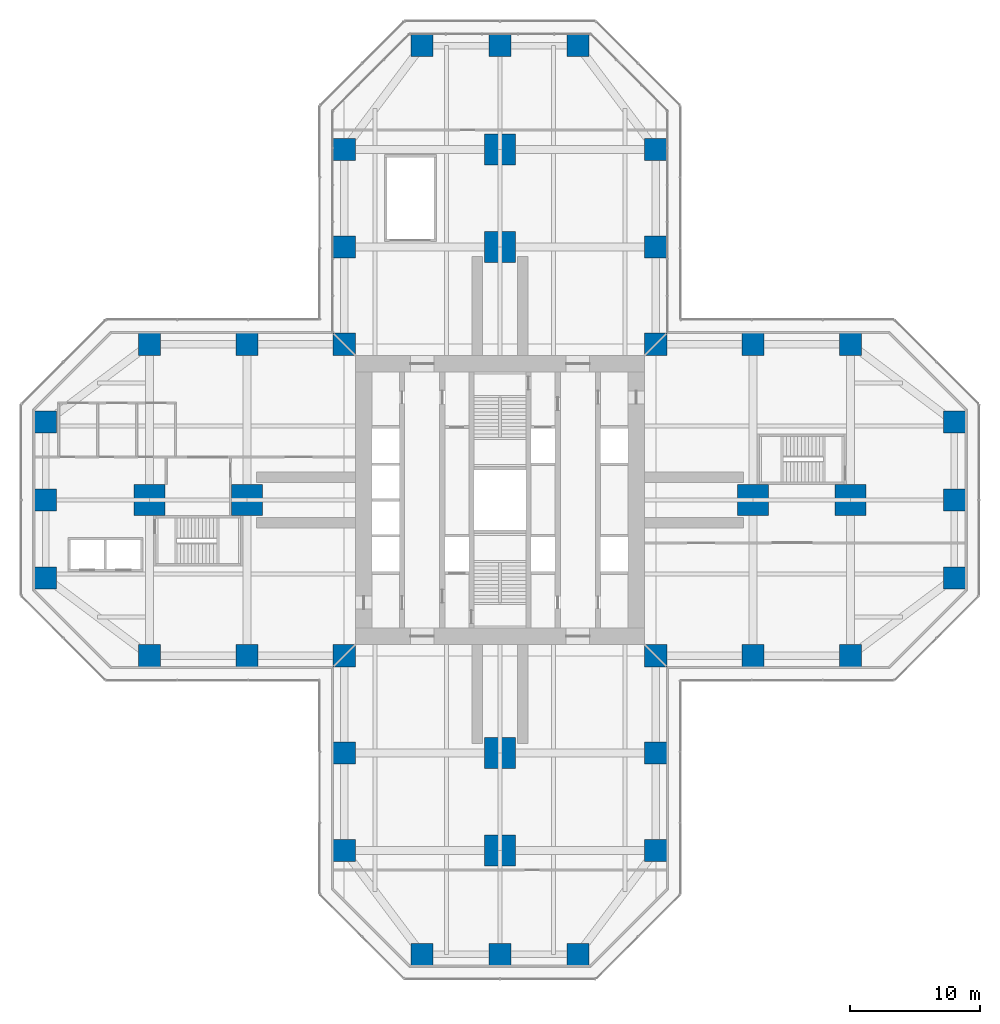
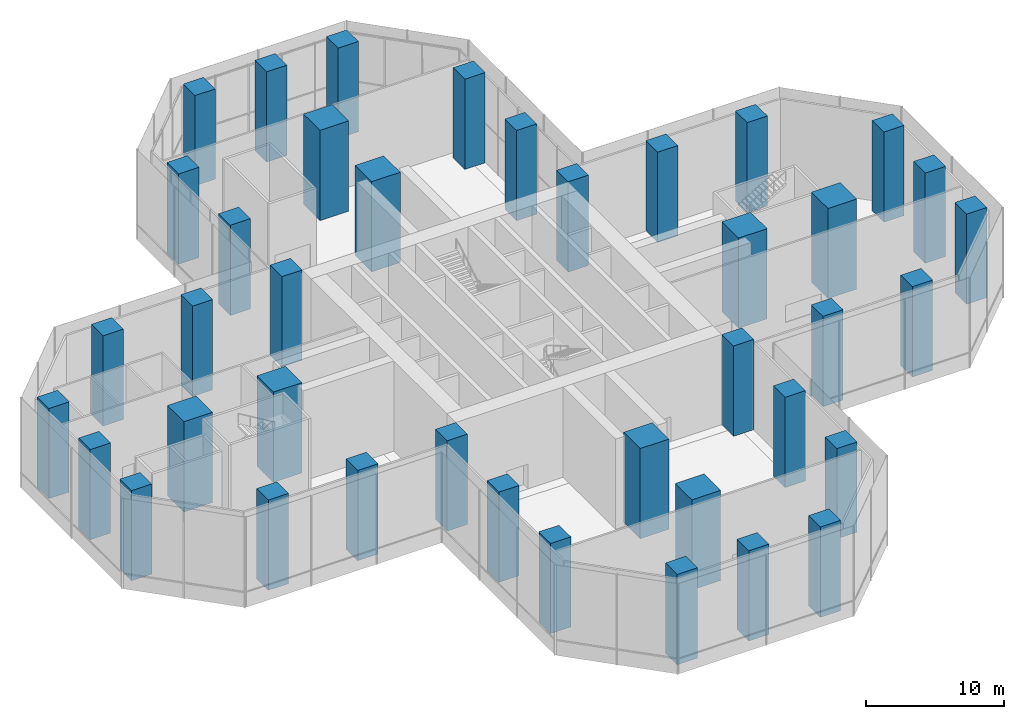
# One storey, part 1 of 25: 40 columns.
"""IFC4 building model written with IfcOpenShell, lengths in metres."""

from ifc_helpers import new_model, si_unit, direction, frame, origin, origin_2d, place, context, subcontext, project, spatial, rectangle, extrude, material, material_profile, profile_set, type_object, element, save


model = new_model("IFC4")

# Units and contexts
model_context = context("Model", 3, precision=1e-05, world=origin(), true_north=direction((0.0, 1.0)))
body_context = subcontext(model_context, "Body", "Model", "MODEL_VIEW")
ifc_project = project(units=[si_unit("LENGTHUNIT", "METRE"), si_unit("AREAUNIT", "SQUARE_METRE"), si_unit("VOLUMEUNIT", "CUBIC_METRE"), si_unit("PLANEANGLEUNIT", "RADIAN"), si_unit("MASSUNIT", "GRAM", prefix="KILO")], contexts=[model_context])

# Site, building, storey
site_placement = place(None, origin())
site = spatial("IfcSite", under=ifc_project, at=site_placement, CompositionType="ELEMENT")
building_placement = place(site_placement, origin())
building = spatial("IfcBuilding", under=site, at=building_placement, Name="Mizan Broadcast Tower", CompositionType="ELEMENT")
storey_placement = place(building_placement, frame((0.0, 0.0, 15.0)))
storey = spatial("IfcBuildingStorey", under=building, at=storey_placement, Name="L02", CompositionType="ELEMENT", Elevation=15.0)

# Columns
ifc_material_1 = material(Name="Concrete C70/85", Category="concrete")
ifc_material_profile_1 = material_profile(ifc_material_1, rectangle(XDim=1.699951171875, YDim=1.699951171875, at=origin_2d()), Name="RC 1700x1700")
ifc_profile_set_1 = profile_set([ifc_material_profile_1], Name="Concrete C70/85")
column_type_1 = type_object("IfcColumnType", Name="RC COLUMN 1700x1700 C70/85", PredefinedType="COLUMN", material=ifc_profile_set_1)
for number, where, z_axis, x_axis, name in (
    (1, (-6.0, -35.0, 0.0), (0.0, 0.0, 1.0), (1.0, 0.0, 0.0), "Column 5/A L02"),
    (2, (0.0, -35.0, 0.0), (0.0, 0.0, 1.0), (1.0, 0.0, 0.0), "Column 6/A L02"),
    (3, (6.0, -35.0, 0.0), (0.0, 0.0, 1.0), (1.0, 0.0, 0.0), "Column 7/A L02"),
    (4, (-12.0, -27.0, 0.0), (0.0, 0.0, 1.0), (1.0, 0.0, 0.0), "Column 4/B L02"),
    (5, (12.0, -27.0, 0.0), (0.0, 0.0, 1.0), (1.0, 0.0, 0.0), "Column 8/B L02"),
    (6, (-12.0, -19.5, 0.0), (0.0, 0.0, 1.0), (1.0, 0.0, 0.0), "Column 4/C L02"),
    (7, (12.0, -19.5, 0.0), (0.0, 0.0, 1.0), (1.0, 0.0, 0.0), "Column 8/C L02"),
    (8, (-27.0, -12.0, 0.0), (0.0, 0.0, 1.0), (1.0, 0.0, 0.0), "Column 2/D L02"),
    (9, (-19.5, -12.0, 0.0), (0.0, 0.0, 1.0), (1.0, 0.0, 0.0), "Column 3/D L02"),
    (10, (-12.0, -12.0, 0.0), (0.0, 0.0, 1.0), (1.0, 0.0, 0.0), "Column 4/D L02"),
    (11, (12.0, -12.0, 0.0), (0.0, 0.0, 1.0), (1.0, 0.0, 0.0), "Column 8/D L02"),
    (12, (19.5, -12.0, 0.0), (0.0, 0.0, 1.0), (1.0, 0.0, 0.0), "Column 9/D L02"),
    (13, (27.0, -12.0, 0.0), (0.0, 0.0, 1.0), (1.0, 0.0, 0.0), "Column 10/D L02"),
    (14, (-35.0, -6.0, 0.0), (0.0, 0.0, 1.0), (1.0, 0.0, 0.0), "Column 1/E L02"),
    (15, (35.0, -6.0, 0.0), (0.0, 0.0, 1.0), (1.0, 0.0, 0.0), "Column 11/E L02"),
    (16, (-35.0, 0.0, 0.0), (0.0, 0.0, 1.0), (1.0, 0.0, 0.0), "Column 1/F L02"),
    (17, (35.0, 0.0, 0.0), (0.0, 0.0, 1.0), (1.0, 0.0, 0.0), "Column 11/F L02"),
    (18, (-35.0, 6.0, 0.0), (0.0, 0.0, 1.0), (1.0, 0.0, 0.0), "Column 1/G L02"),
    (19, (35.0, 6.0, 0.0), (0.0, 0.0, 1.0), (1.0, 0.0, 0.0), "Column 11/G L02"),
    (20, (-27.0, 12.0, 0.0), (0.0, 0.0, 1.0), (1.0, 0.0, 0.0), "Column 2/H L02"),
    (21, (-19.5, 12.0, 0.0), (0.0, 0.0, 1.0), (1.0, 0.0, 0.0), "Column 3/H L02"),
    (22, (-12.0, 12.0, 0.0), (0.0, 0.0, 1.0), (1.0, 0.0, 0.0), "Column 4/H L02"),
    (23, (12.0, 12.0, 0.0), (0.0, 0.0, 1.0), (1.0, 0.0, 0.0), "Column 8/H L02"),
    (24, (19.5, 12.0, 0.0), (0.0, 0.0, 1.0), (1.0, 0.0, 0.0), "Column 9/H L02"),
    (25, (27.0, 12.0, 0.0), (0.0, 0.0, 1.0), (1.0, 0.0, 0.0), "Column 10/H L02"),
    (26, (-12.0, 19.5, 0.0), (0.0, 0.0, 1.0), (1.0, 0.0, 0.0), "Column 4/J L02"),
    (27, (12.0, 19.5, 0.0), (0.0, 0.0, 1.0), (1.0, 0.0, 0.0), "Column 8/J L02"),
    (28, (-12.0, 27.0, 0.0), (0.0, 0.0, 1.0), (1.0, 0.0, 0.0), "Column 4/K L02"),
    (29, (12.0, 27.0, 0.0), (0.0, 0.0, 1.0), (1.0, 0.0, 0.0), "Column 8/K L02"),
    (30, (-6.0, 35.0, 0.0), (0.0, 0.0, 1.0), (1.0, 0.0, 0.0), "Column 5/L L02"),
    (31, (0.0, 35.0, 0.0), (0.0, 0.0, 1.0), (1.0, 0.0, 0.0), "Column 6/L L02"),
    (32, (6.0, 35.0, 0.0), (0.0, 0.0, 1.0), (1.0, 0.0, 0.0), "Column 7/L L02"),
):
    element("IfcColumn", number, at=place(storey_placement, frame(where, z_axis=z_axis, x_axis=x_axis)), inside=storey, type_object=column_type_1, Name=name, PredefinedType="COLUMN", context=body_context, shape_type="SweptSolid", body=[
        extrude(rectangle(XDim=1.699951171875, YDim=1.699951171875, at=origin_2d()), origin(), (0.0, 0.0, 1.0), 8.0),
    ])
ifc_material_2 = material(Name="Concrete C70/85", Category="concrete")
ifc_material_profile_2 = material_profile(ifc_material_2, rectangle(XDim=2.39990234375, YDim=2.39990234375, at=origin_2d()), Name="RC 2400x2400")
ifc_profile_set_2 = profile_set([ifc_material_profile_2], Name="Concrete C70/85")
column_type_2 = type_object("IfcColumnType", Name="RC COLUMN 2400x2400 C70/85", PredefinedType="COLUMN", material=ifc_profile_set_2)
for number, where, z_axis, x_axis, name in (
    (33, (0.0, -27.0, 0.0), (0.0, 0.0, 1.0), (1.0, 0.0, 0.0), "Column 6/B L02"),
    (34, (0.0, -19.5, 0.0), (0.0, 0.0, 1.0), (1.0, 0.0, 0.0), "Column 6/C L02"),
    (35, (-27.0, 0.0, 0.0), (0.0, 0.0, 1.0), (1.0, 0.0, 0.0), "Column 2/F L02"),
    (36, (-19.5, 0.0, 0.0), (0.0, 0.0, 1.0), (1.0, 0.0, 0.0), "Column 3/F L02"),
    (37, (19.5, 0.0, 0.0), (0.0, 0.0, 1.0), (1.0, 0.0, 0.0), "Column 9/F L02"),
    (38, (27.0, 0.0, 0.0), (0.0, 0.0, 1.0), (1.0, 0.0, 0.0), "Column 10/F L02"),
    (39, (0.0, 19.5, 0.0), (0.0, 0.0, 1.0), (1.0, 0.0, 0.0), "Column 6/J L02"),
    (40, (0.0, 27.0, 0.0), (0.0, 0.0, 1.0), (1.0, 0.0, 0.0), "Column 6/K L02"),
):
    element("IfcColumn", number, at=place(storey_placement, frame(where, z_axis=z_axis, x_axis=x_axis)), inside=storey, type_object=column_type_2, Name=name, PredefinedType="COLUMN", context=body_context, shape_type="SweptSolid", body=[
        extrude(rectangle(XDim=2.39990234375, YDim=2.39990234375, at=origin_2d()), origin(), (0.0, 0.0, 1.0), 8.0),
    ])

save(model, "model.ifc")
